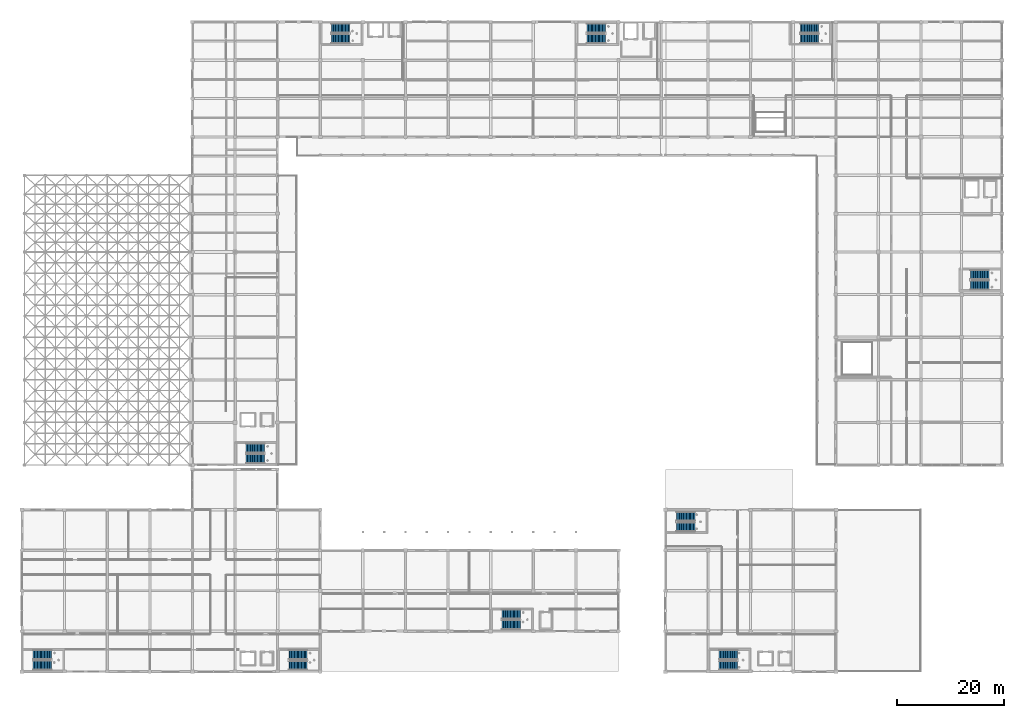
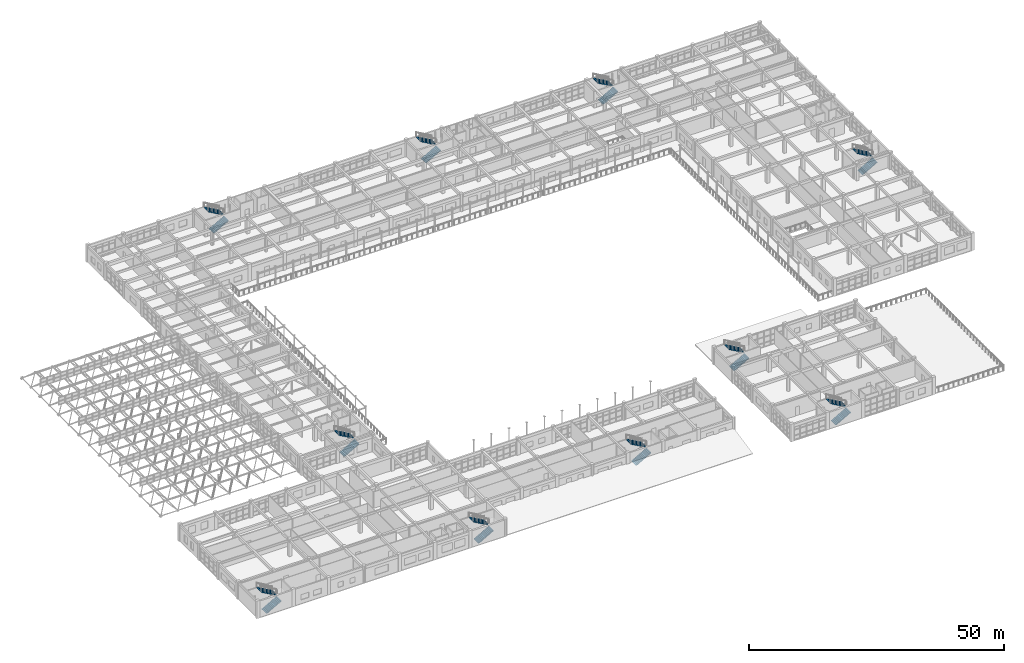
# One storey, part 176 of 195: 20 stair flights, 10 elements without a shape of their own.
"""IFC4 building model written with IfcOpenShell, lengths in metres."""

from ifc_helpers import new_model, si_unit, direction, frame, origin, place, context, subcontext, project, spatial, polyline, outline, extrude, material, type_object, element, aggregate, save


model = new_model("IFC4")

# Units and contexts
model_context = context("Model", 3, precision=1e-05, world=origin(), true_north=direction((0.0, 1.0)))
body_context = subcontext(model_context, "Body", "Model", "MODEL_VIEW")
ifc_project = project(units=[si_unit("LENGTHUNIT", "METRE"), si_unit("AREAUNIT", "SQUARE_METRE"), si_unit("VOLUMEUNIT", "CUBIC_METRE"), si_unit("PLANEANGLEUNIT", "RADIAN"), si_unit("MASSUNIT", "GRAM", prefix="KILO")], contexts=[model_context])

# Site, building, storey
site_placement = place(None, origin())
site = spatial("IfcSite", under=ifc_project, at=site_placement, CompositionType="ELEMENT")
building_placement = place(site_placement, origin())
building = spatial("IfcBuilding", under=site, at=building_placement, Name="Kharva Crest Polytechnic", CompositionType="ELEMENT")
storey_placement = place(building_placement, frame((0.0, 0.0, 9.0)))
storey = spatial("IfcBuildingStorey", under=building, at=storey_placement, Name="L02", CompositionType="ELEMENT", Elevation=9.0)

# Stair, stair flights
ifc_material = material(Name="Concrete C35/45", Category="concrete")
stair_type_1 = type_object("IfcStairType", Name="STR-DOGLEG-1780", PredefinedType="TWO_STRAIGHT_RUN_STAIR", material=ifc_material)
stair_1_placement = place(storey_placement, origin())
stair_1 = element("IfcStair", 1, at=stair_1_placement, inside=storey, type_object=stair_type_1, Name="L02 South-West Lecture Core C1", PredefinedType="TWO_STRAIGHT_RUN_STAIR")
stair_flight_type_1 = type_object("IfcStairFlightType", Name="STF-RC-1780", PredefinedType="STRAIGHT", material=ifc_material)
stair_flight_1_placement = place(storey_placement, frame((50.090087890625, 1.18994140625, 0.0), z_axis=(0.0, 0.0, 1.0), x_axis=(1.0, 0.0, 0.0)))
stair_flight_1 = element("IfcStairFlight", 2, at=stair_flight_1_placement, type_object=stair_flight_type_1, Name="ST-01 flight 1", NumberOfRisers=14, NumberOfTreads=13, PredefinedType="STRAIGHT", RiserHeight=0.15, TreadLength=0.265, context=body_context, shape_type="SweptSolid", body=[
    extrude(outline(polyline([(0.0, 0.0), (0.0, 0.14990234375), (0.264892578125, 0.14990234375), (0.264892578125, 0.300048828125), (0.530029296875, 0.300048828125), (0.530029296875, 0.449951171875), (0.794921875, 0.449951171875), (0.794921875, 0.60009765625), (1.06005859375, 0.60009765625), (1.06005859375, 0.75), (1.324951171875, 0.75), (1.324951171875, 0.89990234375), (1.590087890625, 0.89990234375), (1.590087890625, 1.050048828125), (1.85498046875, 1.050048828125), (1.85498046875, 1.199951171875), (2.1201171875, 1.199951171875), (2.1201171875, 1.35009765625), (2.385009765625, 1.35009765625), (2.385009765625, 1.5), (2.64990234375, 1.5), (2.64990234375, 1.64990234375), (2.9150390625, 1.64990234375), (2.9150390625, 1.800048828125), (3.179931640625, 1.800048828125), (3.179931640625, 1.949951171875), (3.445068359375, 1.949951171875), (3.445068359375, 2.10009765625), (3.445068359375, 1.766357421875), (0.32470703125, 0.0), (0.0, 0.0)])), frame((0.0, 0.89013671875, 0.0), z_axis=(0.0, -1.0, 0.0), x_axis=(1.0, 0.0, 0.0)), (0.0, 0.0, 1.0), 1.780029296875),
])
stair_flight_2_placement = place(storey_placement, frame((53.534912109375, 3.169921875, 2.10009765625), z_axis=(0.0, 0.0, 1.0), x_axis=(-1.0, 0.0, 0.0)))
stair_flight_2 = element("IfcStairFlight", 3, at=stair_flight_2_placement, type_object=stair_flight_type_1, Name="ST-01 flight 2", NumberOfRisers=14, NumberOfTreads=13, PredefinedType="STRAIGHT", RiserHeight=0.15, TreadLength=0.265, context=body_context, shape_type="SweptSolid", body=[
    extrude(outline(polyline([(0.0, 0.0), (0.0, 0.14990234375), (0.264892578125, 0.14990234375), (0.264892578125, 0.300048828125), (0.530029296875, 0.300048828125), (0.530029296875, 0.449951171875), (0.794921875, 0.449951171875), (0.794921875, 0.60009765625), (1.06005859375, 0.60009765625), (1.06005859375, 0.75), (1.324951171875, 0.75), (1.324951171875, 0.89990234375), (1.590087890625, 0.89990234375), (1.590087890625, 1.050048828125), (1.85498046875, 1.050048828125), (1.85498046875, 1.199951171875), (2.1201171875, 1.199951171875), (2.1201171875, 1.35009765625), (2.385009765625, 1.35009765625), (2.385009765625, 1.5), (2.64990234375, 1.5), (2.64990234375, 1.64990234375), (2.9150390625, 1.64990234375), (2.9150390625, 1.800048828125), (3.179931640625, 1.800048828125), (3.179931640625, 1.949951171875), (3.445068359375, 1.949951171875), (3.445068359375, 2.10009765625), (3.445068359375, 1.766357421875), (0.32470703125, 0.0), (0.0, 0.0)])), frame((0.0, 0.89013671875, 0.0), z_axis=(0.0, -1.0, 0.0), x_axis=(1.0, 0.0, 0.0)), (0.0, 0.0, 1.0), 1.780029296875),
])
aggregate(stair_1, [stair_flight_1, stair_flight_2])

stair_2_placement = place(storey_placement, origin())
stair_2 = element("IfcStair", 4, at=stair_2_placement, inside=storey, type_object=stair_type_1, Name="L02 West Workshop Core C2", PredefinedType="TWO_STRAIGHT_RUN_STAIR")
stair_flight_3_placement = place(storey_placement, frame((42.090087890625, 39.989990234375, 0.0), z_axis=(0.0, 0.0, 1.0), x_axis=(1.0, 0.0, 0.0)))
stair_flight_3 = element("IfcStairFlight", 5, at=stair_flight_3_placement, type_object=stair_flight_type_1, Name="ST-02 flight 1", NumberOfRisers=14, NumberOfTreads=13, PredefinedType="STRAIGHT", RiserHeight=0.15, TreadLength=0.265, context=body_context, shape_type="SweptSolid", body=[
    extrude(outline(polyline([(0.0, 0.0), (0.0, 0.14990234375), (0.264892578125, 0.14990234375), (0.264892578125, 0.300048828125), (0.530029296875, 0.300048828125), (0.530029296875, 0.449951171875), (0.794921875, 0.449951171875), (0.794921875, 0.60009765625), (1.06005859375, 0.60009765625), (1.06005859375, 0.75), (1.324951171875, 0.75), (1.324951171875, 0.89990234375), (1.590087890625, 0.89990234375), (1.590087890625, 1.050048828125), (1.85498046875, 1.050048828125), (1.85498046875, 1.199951171875), (2.1201171875, 1.199951171875), (2.1201171875, 1.35009765625), (2.385009765625, 1.35009765625), (2.385009765625, 1.5), (2.64990234375, 1.5), (2.64990234375, 1.64990234375), (2.9150390625, 1.64990234375), (2.9150390625, 1.800048828125), (3.179931640625, 1.800048828125), (3.179931640625, 1.949951171875), (3.445068359375, 1.949951171875), (3.445068359375, 2.10009765625), (3.445068359375, 1.766357421875), (0.32470703125, 0.0), (0.0, 0.0)])), frame((0.0, 0.89013671875, 0.0), z_axis=(0.0, -1.0, 0.0), x_axis=(1.0, 0.0, 0.0)), (0.0, 0.0, 1.0), 1.780029296875),
])
stair_flight_4_placement = place(storey_placement, frame((45.534912109375, 41.969970703125, 2.10009765625), z_axis=(0.0, 0.0, 1.0), x_axis=(-1.0, 0.0, 0.0)))
stair_flight_4 = element("IfcStairFlight", 6, at=stair_flight_4_placement, type_object=stair_flight_type_1, Name="ST-02 flight 2", NumberOfRisers=14, NumberOfTreads=13, PredefinedType="STRAIGHT", RiserHeight=0.15, TreadLength=0.265, context=body_context, shape_type="SweptSolid", body=[
    extrude(outline(polyline([(0.0, 0.0), (0.0, 0.14990234375), (0.264892578125, 0.14990234375), (0.264892578125, 0.300048828125), (0.530029296875, 0.300048828125), (0.530029296875, 0.449951171875), (0.794921875, 0.449951171875), (0.794921875, 0.60009765625), (1.06005859375, 0.60009765625), (1.06005859375, 0.75), (1.324951171875, 0.75), (1.324951171875, 0.89990234375), (1.590087890625, 0.89990234375), (1.590087890625, 1.050048828125), (1.85498046875, 1.050048828125), (1.85498046875, 1.199951171875), (2.1201171875, 1.199951171875), (2.1201171875, 1.35009765625), (2.385009765625, 1.35009765625), (2.385009765625, 1.5), (2.64990234375, 1.5), (2.64990234375, 1.64990234375), (2.9150390625, 1.64990234375), (2.9150390625, 1.800048828125), (3.179931640625, 1.800048828125), (3.179931640625, 1.949951171875), (3.445068359375, 1.949951171875), (3.445068359375, 2.10009765625), (3.445068359375, 1.766357421875), (0.32470703125, 0.0), (0.0, 0.0)])), frame((0.0, 0.89013671875, 0.0), z_axis=(0.0, -1.0, 0.0), x_axis=(1.0, 0.0, 0.0)), (0.0, 0.0, 1.0), 1.780029296875),
])
aggregate(stair_2, [stair_flight_3, stair_flight_4])

stair_3_placement = place(storey_placement, origin())
stair_3 = element("IfcStair", 7, at=stair_3_placement, inside=storey, type_object=stair_type_1, Name="L02 North-West Lab Core C3", PredefinedType="TWO_STRAIGHT_RUN_STAIR")
stair_flight_5_placement = place(storey_placement, frame((58.090087890625, 118.830078125, 0.0), z_axis=(0.0, 0.0, 1.0), x_axis=(1.0, 0.0, 0.0)))
stair_flight_5 = element("IfcStairFlight", 8, at=stair_flight_5_placement, type_object=stair_flight_type_1, Name="ST-03 flight 1", NumberOfRisers=14, NumberOfTreads=13, PredefinedType="STRAIGHT", RiserHeight=0.15, TreadLength=0.265, context=body_context, shape_type="SweptSolid", body=[
    extrude(outline(polyline([(0.0, 0.0), (0.0, 0.14990234375), (0.264892578125, 0.14990234375), (0.264892578125, 0.300048828125), (0.530029296875, 0.300048828125), (0.530029296875, 0.449951171875), (0.794921875, 0.449951171875), (0.794921875, 0.60009765625), (1.06005859375, 0.60009765625), (1.06005859375, 0.75), (1.324951171875, 0.75), (1.324951171875, 0.89990234375), (1.590087890625, 0.89990234375), (1.590087890625, 1.050048828125), (1.85498046875, 1.050048828125), (1.85498046875, 1.199951171875), (2.1201171875, 1.199951171875), (2.1201171875, 1.35009765625), (2.385009765625, 1.35009765625), (2.385009765625, 1.5), (2.64990234375, 1.5), (2.64990234375, 1.64990234375), (2.9150390625, 1.64990234375), (2.9150390625, 1.800048828125), (3.179931640625, 1.800048828125), (3.179931640625, 1.949951171875), (3.445068359375, 1.949951171875), (3.445068359375, 2.10009765625), (3.445068359375, 1.766357421875), (0.32470703125, 0.0), (0.0, 0.0)])), frame((0.0, 0.89013671875, 0.0), z_axis=(0.0, -1.0, 0.0), x_axis=(1.0, 0.0, 0.0)), (0.0, 0.0, 1.0), 1.780029296875),
])
stair_flight_6_placement = place(storey_placement, frame((61.534912109375, 120.81005859375, 2.10009765625), z_axis=(0.0, 0.0, 1.0), x_axis=(-1.0, 0.0, 0.0)))
stair_flight_6 = element("IfcStairFlight", 9, at=stair_flight_6_placement, type_object=stair_flight_type_1, Name="ST-03 flight 2", NumberOfRisers=14, NumberOfTreads=13, PredefinedType="STRAIGHT", RiserHeight=0.15, TreadLength=0.265, context=body_context, shape_type="SweptSolid", body=[
    extrude(outline(polyline([(0.0, 0.0), (0.0, 0.14990234375), (0.264892578125, 0.14990234375), (0.264892578125, 0.300048828125), (0.530029296875, 0.300048828125), (0.530029296875, 0.449951171875), (0.794921875, 0.449951171875), (0.794921875, 0.60009765625), (1.06005859375, 0.60009765625), (1.06005859375, 0.75), (1.324951171875, 0.75), (1.324951171875, 0.89990234375), (1.590087890625, 0.89990234375), (1.590087890625, 1.050048828125), (1.85498046875, 1.050048828125), (1.85498046875, 1.199951171875), (2.1201171875, 1.199951171875), (2.1201171875, 1.35009765625), (2.385009765625, 1.35009765625), (2.385009765625, 1.5), (2.64990234375, 1.5), (2.64990234375, 1.64990234375), (2.9150390625, 1.64990234375), (2.9150390625, 1.800048828125), (3.179931640625, 1.800048828125), (3.179931640625, 1.949951171875), (3.445068359375, 1.949951171875), (3.445068359375, 2.10009765625), (3.445068359375, 1.766357421875), (0.32470703125, 0.0), (0.0, 0.0)])), frame((0.0, 0.89013671875, 0.0), z_axis=(0.0, -1.0, 0.0), x_axis=(1.0, 0.0, 0.0)), (0.0, 0.0, 1.0), 1.780029296875),
])
aggregate(stair_3, [stair_flight_5, stair_flight_6])

stair_4_placement = place(storey_placement, origin())
stair_4 = element("IfcStair", 10, at=stair_4_placement, inside=storey, type_object=stair_type_1, Name="L02 North Crest Firefighting Core C4", PredefinedType="TWO_STRAIGHT_RUN_STAIR")
stair_flight_7_placement = place(storey_placement, frame((106.090087890625, 118.830078125, 0.0), z_axis=(0.0, 0.0, 1.0), x_axis=(1.0, 0.0, 0.0)))
stair_flight_7 = element("IfcStairFlight", 11, at=stair_flight_7_placement, type_object=stair_flight_type_1, Name="ST-04 flight 1", NumberOfRisers=14, NumberOfTreads=13, PredefinedType="STRAIGHT", RiserHeight=0.15, TreadLength=0.265, context=body_context, shape_type="SweptSolid", body=[
    extrude(outline(polyline([(0.0, 0.0), (0.0, 0.14990234375), (0.264892578125, 0.14990234375), (0.264892578125, 0.300048828125), (0.530029296875, 0.300048828125), (0.530029296875, 0.449951171875), (0.794921875, 0.449951171875), (0.794921875, 0.60009765625), (1.06005859375, 0.60009765625), (1.06005859375, 0.75), (1.324951171875, 0.75), (1.324951171875, 0.89990234375), (1.590087890625, 0.89990234375), (1.590087890625, 1.050048828125), (1.85498046875, 1.050048828125), (1.85498046875, 1.199951171875), (2.1201171875, 1.199951171875), (2.1201171875, 1.35009765625), (2.385009765625, 1.35009765625), (2.385009765625, 1.5), (2.64990234375, 1.5), (2.64990234375, 1.64990234375), (2.9150390625, 1.64990234375), (2.9150390625, 1.800048828125), (3.179931640625, 1.800048828125), (3.179931640625, 1.949951171875), (3.445068359375, 1.949951171875), (3.445068359375, 2.10009765625), (3.445068359375, 1.766357421875), (0.32470703125, 0.0), (0.0, 0.0)])), frame((0.0, 0.89013671875, 0.0), z_axis=(0.0, -1.0, 0.0), x_axis=(1.0, 0.0, 0.0)), (0.0, 0.0, 1.0), 1.780029296875),
])
stair_flight_8_placement = place(storey_placement, frame((109.534912109375, 120.81005859375, 2.10009765625), z_axis=(0.0, 0.0, 1.0), x_axis=(-1.0, 0.0, 0.0)))
stair_flight_8 = element("IfcStairFlight", 12, at=stair_flight_8_placement, type_object=stair_flight_type_1, Name="ST-04 flight 2", NumberOfRisers=14, NumberOfTreads=13, PredefinedType="STRAIGHT", RiserHeight=0.15, TreadLength=0.265, context=body_context, shape_type="SweptSolid", body=[
    extrude(outline(polyline([(0.0, 0.0), (0.0, 0.14990234375), (0.264892578125, 0.14990234375), (0.264892578125, 0.300048828125), (0.530029296875, 0.300048828125), (0.530029296875, 0.449951171875), (0.794921875, 0.449951171875), (0.794921875, 0.60009765625), (1.06005859375, 0.60009765625), (1.06005859375, 0.75), (1.324951171875, 0.75), (1.324951171875, 0.89990234375), (1.590087890625, 0.89990234375), (1.590087890625, 1.050048828125), (1.85498046875, 1.050048828125), (1.85498046875, 1.199951171875), (2.1201171875, 1.199951171875), (2.1201171875, 1.35009765625), (2.385009765625, 1.35009765625), (2.385009765625, 1.5), (2.64990234375, 1.5), (2.64990234375, 1.64990234375), (2.9150390625, 1.64990234375), (2.9150390625, 1.800048828125), (3.179931640625, 1.800048828125), (3.179931640625, 1.949951171875), (3.445068359375, 1.949951171875), (3.445068359375, 2.10009765625), (3.445068359375, 1.766357421875), (0.32470703125, 0.0), (0.0, 0.0)])), frame((0.0, 0.89013671875, 0.0), z_axis=(0.0, -1.0, 0.0), x_axis=(1.0, 0.0, 0.0)), (0.0, 0.0, 1.0), 1.780029296875),
])
aggregate(stair_4, [stair_flight_7, stair_flight_8])

stair_5_placement = place(storey_placement, origin())
stair_5 = element("IfcStair", 13, at=stair_5_placement, inside=storey, type_object=stair_type_1, Name="L02 East Crest Firefighting Core C5", PredefinedType="TWO_STRAIGHT_RUN_STAIR")
stair_flight_9_placement = place(storey_placement, frame((178.090087890625, 72.56005859375, 0.0), z_axis=(0.0, 0.0, 1.0), x_axis=(1.0, 0.0, 0.0)))
stair_flight_9 = element("IfcStairFlight", 14, at=stair_flight_9_placement, type_object=stair_flight_type_1, Name="ST-05 flight 1", NumberOfRisers=14, NumberOfTreads=13, PredefinedType="STRAIGHT", RiserHeight=0.15, TreadLength=0.265, context=body_context, shape_type="SweptSolid", body=[
    extrude(outline(polyline([(0.0, 0.0), (0.0, 0.14990234375), (0.264892578125, 0.14990234375), (0.264892578125, 0.300048828125), (0.530029296875, 0.300048828125), (0.530029296875, 0.449951171875), (0.794921875, 0.449951171875), (0.794921875, 0.60009765625), (1.06005859375, 0.60009765625), (1.06005859375, 0.75), (1.324951171875, 0.75), (1.324951171875, 0.89990234375), (1.590087890625, 0.89990234375), (1.590087890625, 1.050048828125), (1.85498046875, 1.050048828125), (1.85498046875, 1.199951171875), (2.1201171875, 1.199951171875), (2.1201171875, 1.35009765625), (2.385009765625, 1.35009765625), (2.385009765625, 1.5), (2.64990234375, 1.5), (2.64990234375, 1.64990234375), (2.9150390625, 1.64990234375), (2.9150390625, 1.800048828125), (3.179931640625, 1.800048828125), (3.179931640625, 1.949951171875), (3.445068359375, 1.949951171875), (3.445068359375, 2.10009765625), (3.445068359375, 1.766357421875), (0.32470703125, 0.0), (0.0, 0.0)])), frame((0.0, 0.89013671875, 0.0), z_axis=(0.0, -1.0, 0.0), x_axis=(1.0, 0.0, 0.0)), (0.0, 0.0, 1.0), 1.780029296875),
])
stair_flight_10_placement = place(storey_placement, frame((181.534912109375, 74.5400390625, 2.10009765625), z_axis=(0.0, 0.0, 1.0), x_axis=(-1.0, 0.0, 0.0)))
stair_flight_10 = element("IfcStairFlight", 15, at=stair_flight_10_placement, type_object=stair_flight_type_1, Name="ST-05 flight 2", NumberOfRisers=14, NumberOfTreads=13, PredefinedType="STRAIGHT", RiserHeight=0.15, TreadLength=0.265, context=body_context, shape_type="SweptSolid", body=[
    extrude(outline(polyline([(0.0, 0.0), (0.0, 0.14990234375), (0.264892578125, 0.14990234375), (0.264892578125, 0.300048828125), (0.530029296875, 0.300048828125), (0.530029296875, 0.449951171875), (0.794921875, 0.449951171875), (0.794921875, 0.60009765625), (1.06005859375, 0.60009765625), (1.06005859375, 0.75), (1.324951171875, 0.75), (1.324951171875, 0.89990234375), (1.590087890625, 0.89990234375), (1.590087890625, 1.050048828125), (1.85498046875, 1.050048828125), (1.85498046875, 1.199951171875), (2.1201171875, 1.199951171875), (2.1201171875, 1.35009765625), (2.385009765625, 1.35009765625), (2.385009765625, 1.5), (2.64990234375, 1.5), (2.64990234375, 1.64990234375), (2.9150390625, 1.64990234375), (2.9150390625, 1.800048828125), (3.179931640625, 1.800048828125), (3.179931640625, 1.949951171875), (3.445068359375, 1.949951171875), (3.445068359375, 2.10009765625), (3.445068359375, 1.766357421875), (0.32470703125, 0.0), (0.0, 0.0)])), frame((0.0, 0.89013671875, 0.0), z_axis=(0.0, -1.0, 0.0), x_axis=(1.0, 0.0, 0.0)), (0.0, 0.0, 1.0), 1.780029296875),
])
aggregate(stair_5, [stair_flight_9, stair_flight_10])

stair_6_placement = place(storey_placement, origin())
stair_6 = element("IfcStair", 16, at=stair_6_placement, inside=storey, type_object=stair_type_1, Name="L02 South-East Refectory Escarpment Core C6", PredefinedType="TWO_STRAIGHT_RUN_STAIR")
stair_flight_11_placement = place(storey_placement, frame((130.889892578125, 1.18994140625, 0.0), z_axis=(0.0, 0.0, 1.0), x_axis=(1.0, 0.0, 0.0)))
stair_flight_11 = element("IfcStairFlight", 17, at=stair_flight_11_placement, type_object=stair_flight_type_1, Name="ST-06 flight 1", NumberOfRisers=14, NumberOfTreads=13, PredefinedType="STRAIGHT", RiserHeight=0.15, TreadLength=0.265, context=body_context, shape_type="SweptSolid", body=[
    extrude(outline(polyline([(0.0, 0.0), (0.0, 0.14990234375), (0.264892578125, 0.14990234375), (0.264892578125, 0.300048828125), (0.530029296875, 0.300048828125), (0.530029296875, 0.449951171875), (0.794921875, 0.449951171875), (0.794921875, 0.60009765625), (1.06005859375, 0.60009765625), (1.06005859375, 0.75), (1.324951171875, 0.75), (1.324951171875, 0.89990234375), (1.590087890625, 0.89990234375), (1.590087890625, 1.050048828125), (1.85498046875, 1.050048828125), (1.85498046875, 1.199951171875), (2.1201171875, 1.199951171875), (2.1201171875, 1.35009765625), (2.385009765625, 1.35009765625), (2.385009765625, 1.5), (2.64990234375, 1.5), (2.64990234375, 1.64990234375), (2.9150390625, 1.64990234375), (2.9150390625, 1.800048828125), (3.179931640625, 1.800048828125), (3.179931640625, 1.949951171875), (3.445068359375, 1.949951171875), (3.445068359375, 2.10009765625), (3.445068359375, 1.766357421875), (0.32470703125, 0.0), (0.0, 0.0)])), frame((0.0, 0.89013671875, 0.0), z_axis=(0.0, -1.0, 0.0), x_axis=(1.0, 0.0, 0.0)), (0.0, 0.0, 1.0), 1.780029296875),
])
stair_flight_12_placement = place(storey_placement, frame((134.3349609375, 3.169921875, 2.10009765625), z_axis=(0.0, 0.0, 1.0), x_axis=(-1.0, 0.0, 0.0)))
stair_flight_12 = element("IfcStairFlight", 18, at=stair_flight_12_placement, type_object=stair_flight_type_1, Name="ST-06 flight 2", NumberOfRisers=14, NumberOfTreads=13, PredefinedType="STRAIGHT", RiserHeight=0.15, TreadLength=0.265, context=body_context, shape_type="SweptSolid", body=[
    extrude(outline(polyline([(0.0, 0.0), (0.0, 0.14990234375), (0.264892578125, 0.14990234375), (0.264892578125, 0.300048828125), (0.530029296875, 0.300048828125), (0.530029296875, 0.449951171875), (0.794921875, 0.449951171875), (0.794921875, 0.60009765625), (1.06005859375, 0.60009765625), (1.06005859375, 0.75), (1.324951171875, 0.75), (1.324951171875, 0.89990234375), (1.590087890625, 0.89990234375), (1.590087890625, 1.050048828125), (1.85498046875, 1.050048828125), (1.85498046875, 1.199951171875), (2.1201171875, 1.199951171875), (2.1201171875, 1.35009765625), (2.385009765625, 1.35009765625), (2.385009765625, 1.5), (2.64990234375, 1.5), (2.64990234375, 1.64990234375), (2.9150390625, 1.64990234375), (2.9150390625, 1.800048828125), (3.179931640625, 1.800048828125), (3.179931640625, 1.949951171875), (3.445068359375, 1.949951171875), (3.445068359375, 2.10009765625), (3.445068359375, 1.766357421875), (0.32470703125, 0.0), (0.0, 0.0)])), frame((0.0, 0.89013671875, 0.0), z_axis=(0.0, -1.0, 0.0), x_axis=(1.0, 0.0, 0.0)), (0.0, 0.0, 1.0), 1.780029296875),
])
aggregate(stair_6, [stair_flight_11, stair_flight_12])

stair_type_2 = type_object("IfcStairType", Name="STR-DOGLEG-1790", PredefinedType="TWO_STRAIGHT_RUN_STAIR", material=ifc_material)
stair_7_placement = place(storey_placement, origin())
stair_7 = element("IfcStair", 19, at=stair_7_placement, inside=storey, type_object=stair_type_2, Name="L02 South-East Escarpment Secondary Stair C7", PredefinedType="TWO_STRAIGHT_RUN_STAIR")
stair_flight_type_2 = type_object("IfcStairFlightType", Name="STF-RC-1790", PredefinedType="STRAIGHT", material=ifc_material)
stair_flight_13_placement = place(storey_placement, frame((122.89990234375, 27.18505859375, 0.0), z_axis=(0.0, 0.0, 1.0), x_axis=(1.0, 0.0, 0.0)))
stair_flight_13 = element("IfcStairFlight", 20, at=stair_flight_13_placement, type_object=stair_flight_type_2, Name="ST-07 flight 1", NumberOfRisers=14, NumberOfTreads=13, PredefinedType="STRAIGHT", RiserHeight=0.15, TreadLength=0.265, context=body_context, shape_type="SweptSolid", body=[
    extrude(outline(polyline([(0.0, 0.0), (0.0, 0.14990234375), (0.264892578125, 0.14990234375), (0.264892578125, 0.300048828125), (0.530029296875, 0.300048828125), (0.530029296875, 0.449951171875), (0.794921875, 0.449951171875), (0.794921875, 0.60009765625), (1.06005859375, 0.60009765625), (1.06005859375, 0.75), (1.324951171875, 0.75), (1.324951171875, 0.89990234375), (1.590087890625, 0.89990234375), (1.590087890625, 1.050048828125), (1.85498046875, 1.050048828125), (1.85498046875, 1.199951171875), (2.1201171875, 1.199951171875), (2.1201171875, 1.35009765625), (2.385009765625, 1.35009765625), (2.385009765625, 1.5), (2.64990234375, 1.5), (2.64990234375, 1.64990234375), (2.9150390625, 1.64990234375), (2.9150390625, 1.800048828125), (3.179931640625, 1.800048828125), (3.179931640625, 1.949951171875), (3.445068359375, 1.949951171875), (3.445068359375, 2.10009765625), (3.445068359375, 1.766357421875), (0.32470703125, 0.0), (0.0, 0.0)])), frame((0.0, 0.89501953125, 0.0), z_axis=(0.0, -1.0, 0.0), x_axis=(1.0, 0.0, 0.0)), (0.0, 0.0, 1.0), 1.7900390625),
])
stair_flight_14_placement = place(storey_placement, frame((126.344970703125, 29.155029296875, 2.10009765625), z_axis=(0.0, 0.0, 1.0), x_axis=(-1.0, 0.0, 0.0)))
stair_flight_14 = element("IfcStairFlight", 21, at=stair_flight_14_placement, type_object=stair_flight_type_2, Name="ST-07 flight 2", NumberOfRisers=14, NumberOfTreads=13, PredefinedType="STRAIGHT", RiserHeight=0.15, TreadLength=0.265, context=body_context, shape_type="SweptSolid", body=[
    extrude(outline(polyline([(0.0, 0.0), (0.0, 0.14990234375), (0.264892578125, 0.14990234375), (0.264892578125, 0.300048828125), (0.530029296875, 0.300048828125), (0.530029296875, 0.449951171875), (0.794921875, 0.449951171875), (0.794921875, 0.60009765625), (1.06005859375, 0.60009765625), (1.06005859375, 0.75), (1.324951171875, 0.75), (1.324951171875, 0.89990234375), (1.590087890625, 0.89990234375), (1.590087890625, 1.050048828125), (1.85498046875, 1.050048828125), (1.85498046875, 1.199951171875), (2.1201171875, 1.199951171875), (2.1201171875, 1.35009765625), (2.385009765625, 1.35009765625), (2.385009765625, 1.5), (2.64990234375, 1.5), (2.64990234375, 1.64990234375), (2.9150390625, 1.64990234375), (2.9150390625, 1.800048828125), (3.179931640625, 1.800048828125), (3.179931640625, 1.949951171875), (3.445068359375, 1.949951171875), (3.445068359375, 2.10009765625), (3.445068359375, 1.766357421875), (0.32470703125, 0.0), (0.0, 0.0)])), frame((0.0, 0.89501953125, 0.0), z_axis=(0.0, -1.0, 0.0), x_axis=(1.0, 0.0, 0.0)), (0.0, 0.0, 1.0), 1.7900390625),
])
aggregate(stair_7, [stair_flight_13, stair_flight_14])

stair_type_3 = type_object("IfcStairType", Name="STR-DOGLEG-1800", PredefinedType="TWO_STRAIGHT_RUN_STAIR", material=ifc_material)
stair_8_placement = place(storey_placement, origin())
stair_8 = element("IfcStair", 22, at=stair_8_placement, inside=storey, type_object=stair_type_3, Name="L02 West Lecture Wing Stair C10", PredefinedType="TWO_STRAIGHT_RUN_STAIR")
stair_flight_type_3 = type_object("IfcStairFlightType", Name="STF-RC-1800", PredefinedType="STRAIGHT", material=ifc_material)
stair_flight_15_placement = place(storey_placement, frame((2.110107421875, 1.199951171875, 0.0), z_axis=(0.0, 0.0, 1.0), x_axis=(1.0, 0.0, 0.0)))
stair_flight_15 = element("IfcStairFlight", 23, at=stair_flight_15_placement, type_object=stair_flight_type_3, Name="ST-10 flight 1", NumberOfRisers=14, NumberOfTreads=13, PredefinedType="STRAIGHT", RiserHeight=0.15, TreadLength=0.265, context=body_context, shape_type="SweptSolid", body=[
    extrude(outline(polyline([(0.0, 0.0), (0.0, 0.14990234375), (0.264892578125, 0.14990234375), (0.264892578125, 0.300048828125), (0.530029296875, 0.300048828125), (0.530029296875, 0.449951171875), (0.794921875, 0.449951171875), (0.794921875, 0.60009765625), (1.06005859375, 0.60009765625), (1.06005859375, 0.75), (1.324951171875, 0.75), (1.324951171875, 0.89990234375), (1.590087890625, 0.89990234375), (1.590087890625, 1.050048828125), (1.85498046875, 1.050048828125), (1.85498046875, 1.199951171875), (2.1201171875, 1.199951171875), (2.1201171875, 1.35009765625), (2.385009765625, 1.35009765625), (2.385009765625, 1.5), (2.64990234375, 1.5), (2.64990234375, 1.64990234375), (2.9150390625, 1.64990234375), (2.9150390625, 1.800048828125), (3.179931640625, 1.800048828125), (3.179931640625, 1.949951171875), (3.445068359375, 1.949951171875), (3.445068359375, 2.10009765625), (3.445068359375, 1.766357421875), (0.32470703125, 0.0), (0.0, 0.0)])), frame((0.0, 0.89990234375, 0.0), z_axis=(0.0, -1.0, 0.0), x_axis=(1.0, 0.0, 0.0)), (0.0, 0.0, 1.0), 1.800048828125),
])
stair_flight_16_placement = place(storey_placement, frame((5.554931640625, 3.159912109375, 2.10009765625), z_axis=(0.0, 0.0, 1.0), x_axis=(-1.0, 0.0, 0.0)))
stair_flight_16 = element("IfcStairFlight", 24, at=stair_flight_16_placement, type_object=stair_flight_type_3, Name="ST-10 flight 2", NumberOfRisers=14, NumberOfTreads=13, PredefinedType="STRAIGHT", RiserHeight=0.15, TreadLength=0.265, context=body_context, shape_type="SweptSolid", body=[
    extrude(outline(polyline([(0.0, 0.0), (0.0, 0.14990234375), (0.264892578125, 0.14990234375), (0.264892578125, 0.300048828125), (0.530029296875, 0.300048828125), (0.530029296875, 0.449951171875), (0.794921875, 0.449951171875), (0.794921875, 0.60009765625), (1.06005859375, 0.60009765625), (1.06005859375, 0.75), (1.324951171875, 0.75), (1.324951171875, 0.89990234375), (1.590087890625, 0.89990234375), (1.590087890625, 1.050048828125), (1.85498046875, 1.050048828125), (1.85498046875, 1.199951171875), (2.1201171875, 1.199951171875), (2.1201171875, 1.35009765625), (2.385009765625, 1.35009765625), (2.385009765625, 1.5), (2.64990234375, 1.5), (2.64990234375, 1.64990234375), (2.9150390625, 1.64990234375), (2.9150390625, 1.800048828125), (3.179931640625, 1.800048828125), (3.179931640625, 1.949951171875), (3.445068359375, 1.949951171875), (3.445068359375, 2.10009765625), (3.445068359375, 1.766357421875), (0.32470703125, 0.0), (0.0, 0.0)])), frame((0.0, 0.89990234375, 0.0), z_axis=(0.0, -1.0, 0.0), x_axis=(1.0, 0.0, 0.0)), (0.0, 0.0, 1.0), 1.800048828125),
])
aggregate(stair_8, [stair_flight_15, stair_flight_16])

stair_type_4 = type_object("IfcStairType", Name="STR-DOGLEG-1810", PredefinedType="TWO_STRAIGHT_RUN_STAIR", material=ifc_material)
stair_9_placement = place(storey_placement, origin())
stair_9 = element("IfcStair", 25, at=stair_9_placement, inside=storey, type_object=stair_type_4, Name="L02 South Entrance Wing Stair C8", PredefinedType="TWO_STRAIGHT_RUN_STAIR")
stair_flight_type_4 = type_object("IfcStairFlightType", Name="STF-RC-1810", PredefinedType="STRAIGHT", material=ifc_material)
stair_flight_17_placement = place(storey_placement, frame((90.1201171875, 8.804931640625, 0.0), z_axis=(0.0, 0.0, 1.0), x_axis=(1.0, 0.0, 0.0)))
stair_flight_17 = element("IfcStairFlight", 26, at=stair_flight_17_placement, type_object=stair_flight_type_4, Name="ST-08 flight 1", NumberOfRisers=14, NumberOfTreads=13, PredefinedType="STRAIGHT", RiserHeight=0.15, TreadLength=0.265, context=body_context, shape_type="SweptSolid", body=[
    extrude(outline(polyline([(0.0, 0.0), (0.0, 0.14990234375), (0.264892578125, 0.14990234375), (0.264892578125, 0.300048828125), (0.530029296875, 0.300048828125), (0.530029296875, 0.449951171875), (0.794921875, 0.449951171875), (0.794921875, 0.60009765625), (1.06005859375, 0.60009765625), (1.06005859375, 0.75), (1.324951171875, 0.75), (1.324951171875, 0.89990234375), (1.590087890625, 0.89990234375), (1.590087890625, 1.050048828125), (1.85498046875, 1.050048828125), (1.85498046875, 1.199951171875), (2.1201171875, 1.199951171875), (2.1201171875, 1.35009765625), (2.385009765625, 1.35009765625), (2.385009765625, 1.5), (2.64990234375, 1.5), (2.64990234375, 1.64990234375), (2.9150390625, 1.64990234375), (2.9150390625, 1.800048828125), (3.179931640625, 1.800048828125), (3.179931640625, 1.949951171875), (3.445068359375, 1.949951171875), (3.445068359375, 2.10009765625), (3.445068359375, 1.766357421875), (0.32470703125, 0.0), (0.0, 0.0)])), frame((0.0, 0.905029296875, 0.0), z_axis=(0.0, -1.0, 0.0), x_axis=(1.0, 0.0, 0.0)), (0.0, 0.0, 1.0), 1.81005859375),
])
stair_flight_18_placement = place(storey_placement, frame((93.56494140625, 10.7548828125, 2.10009765625), z_axis=(0.0, 0.0, 1.0), x_axis=(-1.0, 0.0, 0.0)))
stair_flight_18 = element("IfcStairFlight", 27, at=stair_flight_18_placement, type_object=stair_flight_type_4, Name="ST-08 flight 2", NumberOfRisers=14, NumberOfTreads=13, PredefinedType="STRAIGHT", RiserHeight=0.15, TreadLength=0.265, context=body_context, shape_type="SweptSolid", body=[
    extrude(outline(polyline([(0.0, 0.0), (0.0, 0.14990234375), (0.264892578125, 0.14990234375), (0.264892578125, 0.300048828125), (0.530029296875, 0.300048828125), (0.530029296875, 0.449951171875), (0.794921875, 0.449951171875), (0.794921875, 0.60009765625), (1.06005859375, 0.60009765625), (1.06005859375, 0.75), (1.324951171875, 0.75), (1.324951171875, 0.89990234375), (1.590087890625, 0.89990234375), (1.590087890625, 1.050048828125), (1.85498046875, 1.050048828125), (1.85498046875, 1.199951171875), (2.1201171875, 1.199951171875), (2.1201171875, 1.35009765625), (2.385009765625, 1.35009765625), (2.385009765625, 1.5), (2.64990234375, 1.5), (2.64990234375, 1.64990234375), (2.9150390625, 1.64990234375), (2.9150390625, 1.800048828125), (3.179931640625, 1.800048828125), (3.179931640625, 1.949951171875), (3.445068359375, 1.949951171875), (3.445068359375, 2.10009765625), (3.445068359375, 1.766357421875), (0.32470703125, 0.0), (0.0, 0.0)])), frame((0.0, 0.905029296875, 0.0), z_axis=(0.0, -1.0, 0.0), x_axis=(1.0, 0.0, 0.0)), (0.0, 0.0, 1.0), 1.81005859375),
])
aggregate(stair_9, [stair_flight_17, stair_flight_18])

stair_type_5 = type_object("IfcStairType", Name="STR-DOGLEG-1820", PredefinedType="TWO_STRAIGHT_RUN_STAIR", material=ifc_material)
stair_10_placement = place(storey_placement, origin())
stair_10 = element("IfcStair", 28, at=stair_10_placement, inside=storey, type_object=stair_type_5, Name="L02 North-East Library Wing Stair C9", PredefinedType="TWO_STRAIGHT_RUN_STAIR")
stair_flight_type_5 = type_object("IfcStairFlightType", Name="STF-RC-1820", PredefinedType="STRAIGHT", material=ifc_material)
stair_flight_19_placement = place(storey_placement, frame((146.1298828125, 118.85009765625, 0.0), z_axis=(0.0, 0.0, 1.0), x_axis=(1.0, 0.0, 0.0)))
stair_flight_19 = element("IfcStairFlight", 29, at=stair_flight_19_placement, type_object=stair_flight_type_5, Name="ST-09 flight 1", NumberOfRisers=14, NumberOfTreads=13, PredefinedType="STRAIGHT", RiserHeight=0.15, TreadLength=0.265, context=body_context, shape_type="SweptSolid", body=[
    extrude(outline(polyline([(0.0, 0.0), (0.0, 0.14990234375), (0.264892578125, 0.14990234375), (0.264892578125, 0.300048828125), (0.530029296875, 0.300048828125), (0.530029296875, 0.449951171875), (0.794921875, 0.449951171875), (0.794921875, 0.60009765625), (1.06005859375, 0.60009765625), (1.06005859375, 0.75), (1.324951171875, 0.75), (1.324951171875, 0.89990234375), (1.590087890625, 0.89990234375), (1.590087890625, 1.050048828125), (1.85498046875, 1.050048828125), (1.85498046875, 1.199951171875), (2.1201171875, 1.199951171875), (2.1201171875, 1.35009765625), (2.385009765625, 1.35009765625), (2.385009765625, 1.5), (2.64990234375, 1.5), (2.64990234375, 1.64990234375), (2.9150390625, 1.64990234375), (2.9150390625, 1.800048828125), (3.179931640625, 1.800048828125), (3.179931640625, 1.949951171875), (3.445068359375, 1.949951171875), (3.445068359375, 2.10009765625), (3.445068359375, 1.766357421875), (0.32470703125, 0.0), (0.0, 0.0)])), frame((0.0, 0.91015625, 0.0), z_axis=(0.0, -1.0, 0.0), x_axis=(1.0, 0.0, 0.0)), (0.0, 0.0, 1.0), 1.820068359375),
])
stair_flight_20_placement = place(storey_placement, frame((149.574951171875, 120.7900390625, 2.10009765625), z_axis=(0.0, 0.0, 1.0), x_axis=(-1.0, 0.0, 0.0)))
stair_flight_20 = element("IfcStairFlight", 30, at=stair_flight_20_placement, type_object=stair_flight_type_5, Name="ST-09 flight 2", NumberOfRisers=14, NumberOfTreads=13, PredefinedType="STRAIGHT", RiserHeight=0.15, TreadLength=0.265, context=body_context, shape_type="SweptSolid", body=[
    extrude(outline(polyline([(0.0, 0.0), (0.0, 0.14990234375), (0.264892578125, 0.14990234375), (0.264892578125, 0.300048828125), (0.530029296875, 0.300048828125), (0.530029296875, 0.449951171875), (0.794921875, 0.449951171875), (0.794921875, 0.60009765625), (1.06005859375, 0.60009765625), (1.06005859375, 0.75), (1.324951171875, 0.75), (1.324951171875, 0.89990234375), (1.590087890625, 0.89990234375), (1.590087890625, 1.050048828125), (1.85498046875, 1.050048828125), (1.85498046875, 1.199951171875), (2.1201171875, 1.199951171875), (2.1201171875, 1.35009765625), (2.385009765625, 1.35009765625), (2.385009765625, 1.5), (2.64990234375, 1.5), (2.64990234375, 1.64990234375), (2.9150390625, 1.64990234375), (2.9150390625, 1.800048828125), (3.179931640625, 1.800048828125), (3.179931640625, 1.949951171875), (3.445068359375, 1.949951171875), (3.445068359375, 2.10009765625), (3.445068359375, 1.766357421875), (0.32470703125, 0.0), (0.0, 0.0)])), frame((0.0, 0.91015625, 0.0), z_axis=(0.0, -1.0, 0.0), x_axis=(1.0, 0.0, 0.0)), (0.0, 0.0, 1.0), 1.820068359375),
])
aggregate(stair_10, [stair_flight_19, stair_flight_20])

save(model, "model.ifc")
